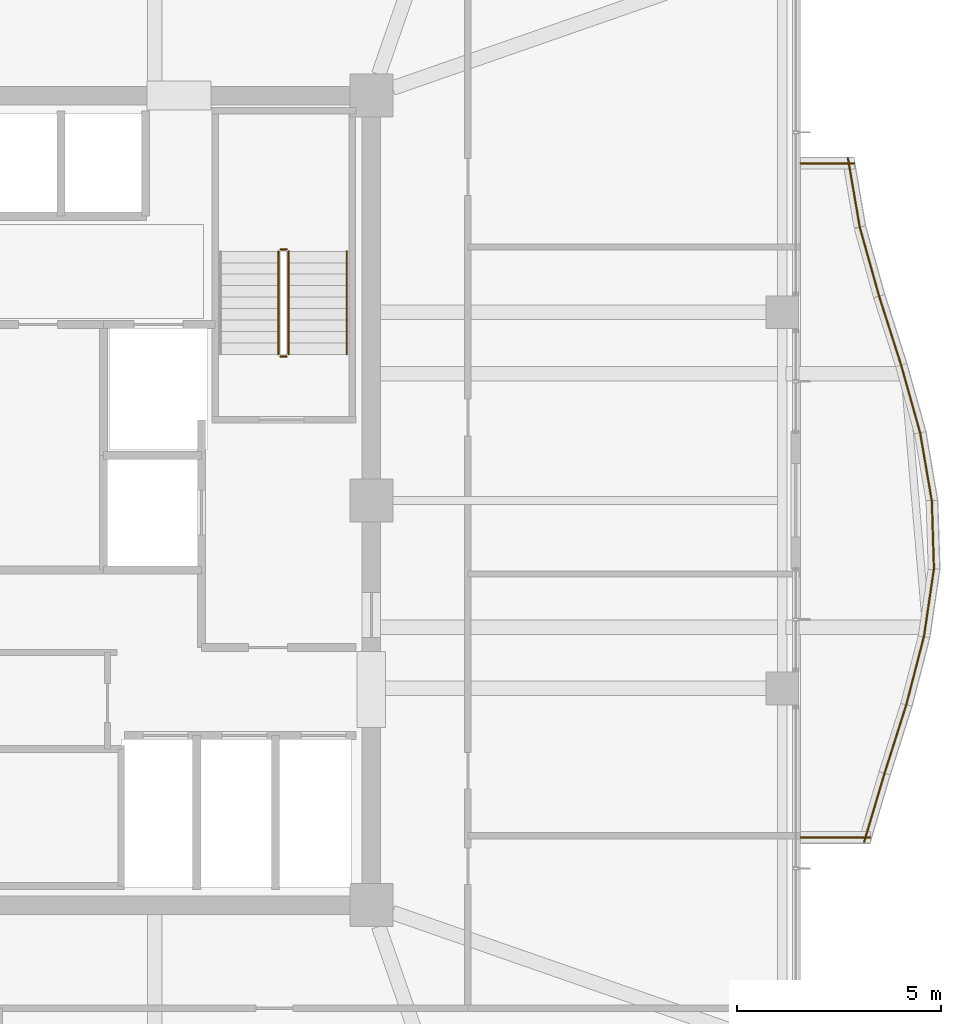
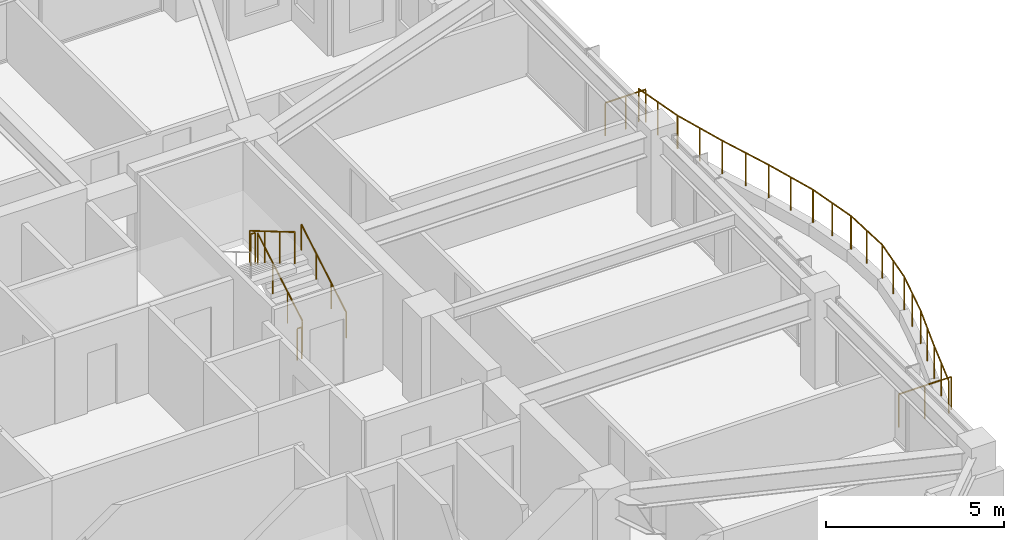
# One storey, part 34 of 34: 17 railings.
"""IFC4 building model written with IfcOpenShell, lengths in metres."""

from ifc_helpers import new_model, si_unit, direction, frame, origin, origin_2d, place, context, subcontext, project, spatial, circle, extrude, material, type_object, element, save


model = new_model("IFC4")

# Units and contexts
model_context = context("Model", 3, precision=1e-05, world=origin(), true_north=direction((0.0, 1.0)))
body_context = subcontext(model_context, "Body", "Model", "MODEL_VIEW")
ifc_project = project(units=[si_unit("LENGTHUNIT", "METRE"), si_unit("AREAUNIT", "SQUARE_METRE"), si_unit("VOLUMEUNIT", "CUBIC_METRE"), si_unit("PLANEANGLEUNIT", "RADIAN"), si_unit("MASSUNIT", "GRAM", prefix="KILO")], contexts=[model_context])

# Site, building, storey
site_placement = place(None, origin())
site = spatial("IfcSite", under=ifc_project, at=site_placement, CompositionType="ELEMENT")
building_placement = place(site_placement, origin())
building = spatial("IfcBuilding", under=site, at=building_placement, Name="Kolvaren Belvedere", CompositionType="ELEMENT")
storey_placement = place(building_placement, frame((0.0, 0.0, 229.5)))
storey = spatial("IfcBuildingStorey", under=building, at=storey_placement, Name="L67", CompositionType="ELEMENT", Elevation=229.5)

# Railings
ifc_material_1 = material(Name="Anodised pale-metal aluminium & laminated glass guard", Category="aluminium")
railing_type_1 = type_object("IfcRailingType", Name="RL-GUARD-1150", PredefinedType="GUARDRAIL", material=ifc_material_1)
railing_1_placement = place(storey_placement, frame((21.951904296875, -8.3544921875, 0.3798828125)))
element("IfcRailing", 1, at=railing_1_placement, inside=storey, type_object=railing_type_1, Name="L67 Exterior Deck Safety Guard BAL-E-1", PredefinedType="GUARDRAIL", context=body_context, shape_type="SweptSolid", body=[
    extrude(circle(Radius=0.02392578125, at=origin_2d()), frame((0.0, 0.0, 1.1259765625), z_axis=(0.284842289601, 0.958574394638, 0.0), x_axis=(-0.958574394638, 0.284842289601, 0.0)), (0.0, 0.0, 1.0), 1.752685546875),
    extrude(circle(Radius=0.02099609375, at=origin_2d()), origin(), (0.0, 0.0, 1.0), 1.101806640625),
    extrude(circle(Radius=0.02099609375, at=origin_2d()), frame((0.24951171875, 0.840087890625, 0.0)), (0.0, 0.0, 1.0), 1.101806640625),
    extrude(circle(Radius=0.02099609375, at=origin_2d()), frame((0.499267578125, 1.68017578125, 0.0)), (0.0, 0.0, 1.0), 1.101806640625),
])
railing_2_placement = place(storey_placement, frame((22.4521484375, -6.671630859375, 0.3798828125)))
element("IfcRailing", 2, at=railing_2_placement, inside=storey, type_object=railing_type_1, Name="L67 Exterior Deck Safety Guard BAL-E-2", PredefinedType="GUARDRAIL", context=body_context, shape_type="SweptSolid", body=[
    extrude(circle(Radius=0.02392578125, at=origin_2d()), frame((0.0, 0.0, 1.1259765625), z_axis=(0.302397356111, 0.953181954832, 0.0), x_axis=(-0.953181954832, 0.302397356111, 0.0)), (0.0, 0.0, 1.0), 1.762451171875),
    extrude(circle(Radius=0.02099609375, at=origin_2d()), origin(), (0.0, 0.0, 1.0), 1.101806640625),
    extrude(circle(Radius=0.02099609375, at=origin_2d()), frame((0.2666015625, 0.83984375, 0.0)), (0.0, 0.0, 1.0), 1.101806640625),
    extrude(circle(Radius=0.02099609375, at=origin_2d()), frame((0.532958984375, 1.679931640625, 0.0)), (0.0, 0.0, 1.0), 1.101806640625),
])
railing_3_placement = place(storey_placement, frame((22.982666015625, -5.0, 0.3798828125)))
element("IfcRailing", 3, at=railing_3_placement, inside=storey, type_object=railing_type_1, Name="L67 Exterior Deck Safety Guard BAL-E-3", PredefinedType="GUARDRAIL", context=body_context, shape_type="SweptSolid", body=[
    extrude(circle(Radius=0.02392578125, at=origin_2d()), frame((0.0, 0.0, 1.1259765625), z_axis=(0.250405556038, 0.968141031826, 0.0), x_axis=(-0.968141031826, 0.250405556038, 0.0)), (0.0, 0.0, 1.0), 1.7353515625),
    extrude(circle(Radius=0.02099609375, at=origin_2d()), origin(), (0.0, 0.0, 1.0), 1.101806640625),
    extrude(circle(Radius=0.02099609375, at=origin_2d()), frame((0.21728515625, 0.840087890625, 0.0)), (0.0, 0.0, 1.0), 1.101806640625),
    extrude(circle(Radius=0.02099609375, at=origin_2d()), frame((0.4345703125, 1.68017578125, 0.0)), (0.0, 0.0, 1.0), 1.101806640625),
])
railing_4_placement = place(storey_placement, frame((23.413818359375, -3.336669921875, 0.3798828125)))
element("IfcRailing", 4, at=railing_4_placement, inside=storey, type_object=railing_type_1, Name="L67 Exterior Deck Safety Guard BAL-E-4", PredefinedType="GUARDRAIL", context=body_context, shape_type="SweptSolid", body=[
    extrude(circle(Radius=0.02392578125, at=origin_2d()), frame((0.0, 0.0, 1.1259765625), z_axis=(0.145928579368, 0.989295127716, 0.0), x_axis=(-0.989295127716, 0.145928579368, 0.0)), (0.0, 0.0, 1.0), 1.697998046875),
    extrude(circle(Radius=0.02099609375, at=origin_2d()), origin(), (0.0, 0.0, 1.0), 1.101806640625),
    extrude(circle(Radius=0.02099609375, at=origin_2d()), frame((0.1240234375, 0.83984375, 0.0)), (0.0, 0.0, 1.0), 1.101806640625),
    extrude(circle(Radius=0.02099609375, at=origin_2d()), frame((0.247802734375, 1.679931640625, 0.0)), (0.0, 0.0, 1.0), 1.101806640625),
])
railing_5_placement = place(storey_placement, frame((23.66015625, -1.68505859375, 0.3798828125)))
element("IfcRailing", 5, at=railing_5_placement, inside=storey, type_object=railing_type_1, Name="L67 Exterior Deck Safety Guard BAL-E-5", PredefinedType="GUARDRAIL", context=body_context, shape_type="SweptSolid", body=[
    extrude(circle(Radius=0.02392578125, at=origin_2d()), frame((0.0, 0.0, 1.1259765625), z_axis=(-0.031515868295, 0.999503251643, 0.0), x_axis=(-0.999503251643, -0.031515868295, 0.0)), (0.0, 0.0, 1.0), 1.680908203125),
    extrude(circle(Radius=0.02099609375, at=origin_2d()), origin(), (0.0, 0.0, 1.0), 1.101806640625),
    extrude(circle(Radius=0.02099609375, at=origin_2d()), frame((-0.0263671875, 0.840087890625, 0.0)), (0.0, 0.0, 1.0), 1.101806640625),
    extrude(circle(Radius=0.02099609375, at=origin_2d()), frame((-0.052978515625, 1.68017578125, 0.0)), (0.0, 0.0, 1.0), 1.101806640625),
])
railing_6_placement = place(storey_placement, frame((23.609375, -0.027099609375, 0.3798828125)))
element("IfcRailing", 6, at=railing_6_placement, inside=storey, type_object=railing_type_1, Name="L67 Exterior Deck Safety Guard BAL-E-6", PredefinedType="GUARDRAIL", context=body_context, shape_type="SweptSolid", body=[
    extrude(circle(Radius=0.02392578125, at=origin_2d()), frame((0.0, 0.0, 1.1259765625), z_axis=(-0.168856484225, 0.985640648378, 0.0), x_axis=(-0.985640648378, -0.168856484225, 0.0)), (0.0, 0.0, 1.0), 1.70458984375),
    extrude(circle(Radius=0.02099609375, at=origin_2d()), origin(), (0.0, 0.0, 1.0), 1.101806640625),
    extrude(circle(Radius=0.02099609375, at=origin_2d()), frame((-0.14404296875, 0.840087890625, 0.0)), (0.0, 0.0, 1.0), 1.101806640625),
    extrude(circle(Radius=0.02099609375, at=origin_2d()), frame((-0.287841796875, 1.68017578125, 0.0)), (0.0, 0.0, 1.0), 1.101806640625),
])
railing_7_placement = place(storey_placement, frame((23.3251953125, 1.63671875, 0.3798828125)))
element("IfcRailing", 7, at=railing_7_placement, inside=storey, type_object=railing_type_1, Name="L67 Exterior Deck Safety Guard BAL-E-7", PredefinedType="GUARDRAIL", context=body_context, shape_type="SweptSolid", body=[
    extrude(circle(Radius=0.02392578125, at=origin_2d()), frame((0.0, 0.0, 1.1259765625), z_axis=(-0.269764860108, 0.962926227834, 0.0), x_axis=(-0.962926227834, -0.269764860108, 0.0)), (0.0, 0.0, 1.0), 1.744873046875),
    extrude(circle(Radius=0.02099609375, at=origin_2d()), origin(), (0.0, 0.0, 1.0), 1.101806640625),
    extrude(circle(Radius=0.02099609375, at=origin_2d()), frame((-0.2353515625, 0.840087890625, 0.0)), (0.0, 0.0, 1.0), 1.101806640625),
    extrude(circle(Radius=0.02099609375, at=origin_2d()), frame((-0.470703125, 1.68017578125, 0.0)), (0.0, 0.0, 1.0), 1.101806640625),
])
railing_8_placement = place(storey_placement, frame((22.856201171875, 3.311279296875, 0.3798828125)))
element("IfcRailing", 8, at=railing_8_placement, inside=storey, type_object=railing_type_1, Name="L67 Exterior Deck Safety Guard BAL-E-8", PredefinedType="GUARDRAIL", context=body_context, shape_type="SweptSolid", body=[
    extrude(circle(Radius=0.02392578125, at=origin_2d()), frame((0.0, 0.0, 1.1259765625), z_axis=(-0.304534629099, 0.952501264923, 0.0), x_axis=(-0.952501264923, -0.304534629099, 0.0)), (0.0, 0.0, 1.0), 1.763671875),
    extrude(circle(Radius=0.02099609375, at=origin_2d()), origin(), (0.0, 0.0, 1.0), 1.101806640625),
    extrude(circle(Radius=0.02099609375, at=origin_2d()), frame((-0.2685546875, 0.83984375, 0.0)), (0.0, 0.0, 1.0), 1.101806640625),
    extrude(circle(Radius=0.02099609375, at=origin_2d()), frame((-0.537109375, 1.679931640625, 0.0)), (0.0, 0.0, 1.0), 1.101806640625),
])
railing_9_placement = place(storey_placement, frame((22.3173828125, 4.996826171875, 0.3798828125)))
element("IfcRailing", 9, at=railing_9_placement, inside=storey, type_object=railing_type_1, Name="L67 Exterior Deck Safety Guard BAL-E-9", PredefinedType="GUARDRAIL", context=body_context, shape_type="SweptSolid", body=[
    extrude(circle(Radius=0.02392578125, at=origin_2d()), frame((0.0, 0.0, 1.1259765625), z_axis=(-0.269801210823, 0.962916043401, 0.0), x_axis=(-0.962916043401, -0.269801210823, 0.0)), (0.0, 0.0, 1.0), 1.74462890625),
    extrude(circle(Radius=0.02099609375, at=origin_2d()), origin(), (0.0, 0.0, 1.0), 1.101806640625),
    extrude(circle(Radius=0.02099609375, at=origin_2d()), frame((-0.2353515625, 0.83984375, 0.0)), (0.0, 0.0, 1.0), 1.101806640625),
    extrude(circle(Radius=0.02099609375, at=origin_2d()), frame((-0.470703125, 1.679931640625, 0.0)), (0.0, 0.0, 1.0), 1.101806640625),
])
railing_10_placement = place(storey_placement, frame((21.843017578125, 6.693115234375, 0.3798828125)))
element("IfcRailing", 10, at=railing_10_placement, inside=storey, type_object=railing_type_1, Name="L67 Exterior Deck Safety Guard BAL-E-10", PredefinedType="GUARDRAIL", context=body_context, shape_type="SweptSolid", body=[
    extrude(circle(Radius=0.02392578125, at=origin_2d()), frame((0.0, 0.0, 1.1259765625), z_axis=(-0.16888032392, 0.985636563949, 0.0), x_axis=(-0.985636563949, -0.16888032392, 0.0)), (0.0, 0.0, 1.0), 1.704345703125),
    extrude(circle(Radius=0.02099609375, at=origin_2d()), origin(), (0.0, 0.0, 1.0), 1.101806640625),
    extrude(circle(Radius=0.02099609375, at=origin_2d()), frame((-0.14404296875, 0.83984375, 0.0)), (0.0, 0.0, 1.0), 1.101806640625),
    extrude(circle(Radius=0.02099609375, at=origin_2d()), frame((-0.287841796875, 1.679931640625, 0.0)), (0.0, 0.0, 1.0), 1.101806640625),
])
railing_11_placement = place(storey_placement, frame((21.712890625, 8.239990234375, 0.3798828125)))
element("IfcRailing", 11, at=railing_11_placement, inside=storey, type_object=railing_type_1, Name="L67 Exterior Deck Safety Guard BAL-E-11", PredefinedType="GUARDRAIL", context=body_context, shape_type="SweptSolid", body=[
    extrude(circle(Radius=0.02392578125, at=origin_2d()), frame((0.0, 0.0, 1.1259765625), z_axis=(-1.0, 0.0, 0.0), x_axis=(0.0, -1.0, 0.0)), (0.0, 0.0, 1.0), 1.31298828125),
    extrude(circle(Radius=0.02099609375, at=origin_2d()), origin(), (0.0, 0.0, 1.0), 1.101806640625),
    extrude(circle(Radius=0.02099609375, at=origin_2d()), frame((-0.656494140625, 0.0, 0.0)), (0.0, 0.0, 1.0), 1.101806640625),
    extrude(circle(Radius=0.02099609375, at=origin_2d()), frame((-1.31298828125, 0.0, 0.0)), (0.0, 0.0, 1.0), 1.101806640625),
])
railing_12_placement = place(storey_placement, frame((20.39990234375, -8.239990234375, 0.3798828125)))
element("IfcRailing", 12, at=railing_12_placement, inside=storey, type_object=railing_type_1, Name="L67 Exterior Deck Safety Guard BAL-E-22", PredefinedType="GUARDRAIL", context=body_context, shape_type="SweptSolid", body=[
    extrude(circle(Radius=0.02392578125, at=origin_2d()), frame((0.0, 0.0, 1.1259765625), z_axis=(1.0, 0.0, 0.0), x_axis=(0.0, 1.0, 0.0)), (0.0, 0.0, 1.0), 1.705322265625),
    extrude(circle(Radius=0.02099609375, at=origin_2d()), origin(), (0.0, 0.0, 1.0), 1.101806640625),
    extrude(circle(Radius=0.02099609375, at=origin_2d()), frame((0.8525390625, 0.0, 0.0)), (0.0, 0.0, 1.0), 1.101806640625),
    extrude(circle(Radius=0.02099609375, at=origin_2d()), frame((1.705322265625, 0.0, 0.0)), (0.0, 0.0, 1.0), 1.101806640625),
])
ifc_material_2 = material(Name="Brushed stainless-steel handrail", Category="steel")
railing_type_2 = type_object("IfcRailingType", Name="RL-HANDRAIL-920", PredefinedType="HANDRAIL", material=ifc_material_2)
railing_13_placement = place(storey_placement, frame((9.300048828125, 3.570068359375, 0.1650390625)))
element("IfcRailing", 13, at=railing_13_placement, inside=storey, type_object=railing_type_2, Name="L67 ST-2 stair handrail 1", PredefinedType="HANDRAIL", context=body_context, shape_type="SweptSolid", body=[
    extrude(circle(Radius=0.02392578125, at=origin_2d()), frame((0.0, 0.0, 0.8759765625), z_axis=(0.0, 0.861560626758, 0.507654692109), x_axis=(-1.0, 0.0, 0.0)), (0.0, 0.0, 1.0), 2.925048828125),
    extrude(circle(Radius=0.02099609375, at=origin_2d()), origin(), (0.0, 0.0, 1.0), 0.851806640625),
    extrude(circle(Radius=0.02099609375, at=origin_2d()), frame((0.0, 0.840087890625, 0.494873046875)), (0.0, 0.0, 1.0), 0.851806640625),
    extrude(circle(Radius=0.02099609375, at=origin_2d()), frame((0.0, 1.679931640625, 0.989990234375)), (0.0, 0.0, 1.0), 0.851806640625),
    extrude(circle(Radius=0.02099609375, at=origin_2d()), frame((0.0, 2.52001953125, 1.48486328125)), (0.0, 0.0, 1.0), 0.851806640625),
])
ifc_material_3 = material(Name="Painted tubular steel stair guard", Category="steel")
railing_type_3 = type_object("IfcRailingType", Name="RL-STGUARD-1100", PredefinedType="GUARDRAIL", material=ifc_material_3)
railing_14_placement = place(storey_placement, frame((7.8798828125, 3.570068359375, 0.1650390625)))
element("IfcRailing", 14, at=railing_14_placement, inside=storey, type_object=railing_type_3, Name="L67 ST-2 stair guard 1", PredefinedType="GUARDRAIL", context=body_context, shape_type="SweptSolid", body=[
    extrude(circle(Radius=0.02392578125, at=origin_2d()), frame((0.0, 0.0, 1.076171875), z_axis=(0.0, 0.861560626758, 0.507654692109), x_axis=(-1.0, 0.0, 0.0)), (0.0, 0.0, 1.0), 2.925048828125),
    extrude(circle(Radius=0.02099609375, at=origin_2d()), origin(), (0.0, 0.0, 1.0), 1.052001953125),
    extrude(circle(Radius=0.02099609375, at=origin_2d()), frame((0.0, 0.840087890625, 0.494873046875)), (0.0, 0.0, 1.0), 1.052001953125),
    extrude(circle(Radius=0.02099609375, at=origin_2d()), frame((0.0, 1.679931640625, 0.989990234375)), (0.0, 0.0, 1.0), 1.052001953125),
    extrude(circle(Radius=0.02099609375, at=origin_2d()), frame((0.0, 2.52001953125, 1.48486328125)), (0.0, 0.0, 1.0), 1.052001953125),
])
railing_15_placement = place(storey_placement, frame((7.830078125, 6.139892578125, 1.64990234375)))
element("IfcRailing", 15, at=railing_15_placement, inside=storey, type_object=railing_type_3, Name="L67 ST-2 stair guard 2", PredefinedType="GUARDRAIL", context=body_context, shape_type="SweptSolid", body=[
    extrude(circle(Radius=0.02392578125, at=origin_2d()), frame((0.0, 0.0, 1.076171875), z_axis=(-1.0, 0.0, 0.0), x_axis=(0.0, -1.0, 0.0)), (0.0, 0.0, 1.0), 0.150146484375),
    extrude(circle(Radius=0.02099609375, at=origin_2d()), origin(), (0.0, 0.0, 1.0), 1.052001953125),
    extrude(circle(Radius=0.02099609375, at=origin_2d()), frame((-0.150146484375, 0.0, 0.0)), (0.0, 0.0, 1.0), 1.052001953125),
])
railing_16_placement = place(storey_placement, frame((7.6298828125, 6.090087890625, 1.81494140625)))
element("IfcRailing", 16, at=railing_16_placement, inside=storey, type_object=railing_type_3, Name="L67 ST-2 stair guard 3", PredefinedType="GUARDRAIL", context=body_context, shape_type="SweptSolid", body=[
    extrude(circle(Radius=0.02392578125, at=origin_2d()), frame((0.0, 0.0, 1.076171875), z_axis=(0.0, -0.86152411907, 0.507716645641), x_axis=(1.0, 0.0, 0.0)), (0.0, 0.0, 1.0), 2.925048828125),
    extrude(circle(Radius=0.02099609375, at=origin_2d()), origin(), (0.0, 0.0, 1.0), 1.052001953125),
    extrude(circle(Radius=0.02099609375, at=origin_2d()), frame((0.0, -0.840087890625, 0.4951171875)), (0.0, 0.0, 1.0), 1.052001953125),
    extrude(circle(Radius=0.02099609375, at=origin_2d()), frame((0.0, -1.679931640625, 0.989990234375)), (0.0, 0.0, 1.0), 1.052001953125),
    extrude(circle(Radius=0.02099609375, at=origin_2d()), frame((0.0, -2.52001953125, 1.485107421875)), (0.0, 0.0, 1.0), 1.052001953125),
])
railing_17_placement = place(storey_placement, frame((7.830078125, 3.52001953125, 0.0)))
element("IfcRailing", 17, at=railing_17_placement, inside=storey, type_object=railing_type_3, Name="L67 ST-2 stair guard 4", PredefinedType="GUARDRAIL", context=body_context, shape_type="SweptSolid", body=[
    extrude(circle(Radius=0.02392578125, at=origin_2d()), frame((0.0, 0.0, 1.076171875), z_axis=(-1.0, 0.0, 0.0), x_axis=(0.0, -1.0, 0.0)), (0.0, 0.0, 1.0), 0.150146484375),
    extrude(circle(Radius=0.02099609375, at=origin_2d()), origin(), (0.0, 0.0, 1.0), 1.052001953125),
    extrude(circle(Radius=0.02099609375, at=origin_2d()), frame((-0.150146484375, 0.0, 0.0)), (0.0, 0.0, 1.0), 1.052001953125),
])

save(model, "model.ifc")
